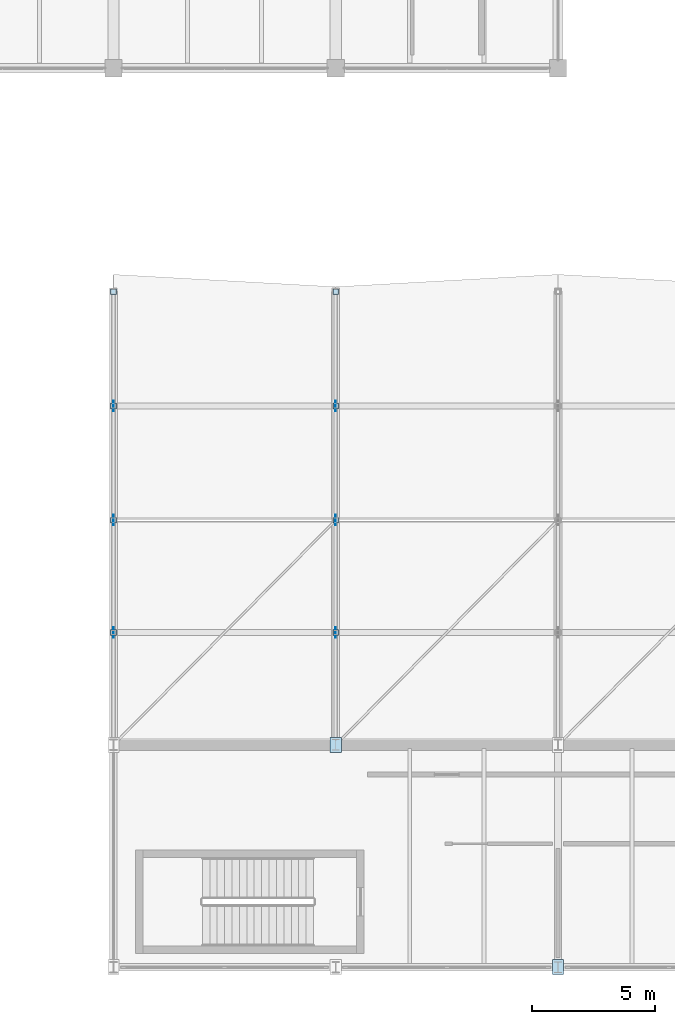
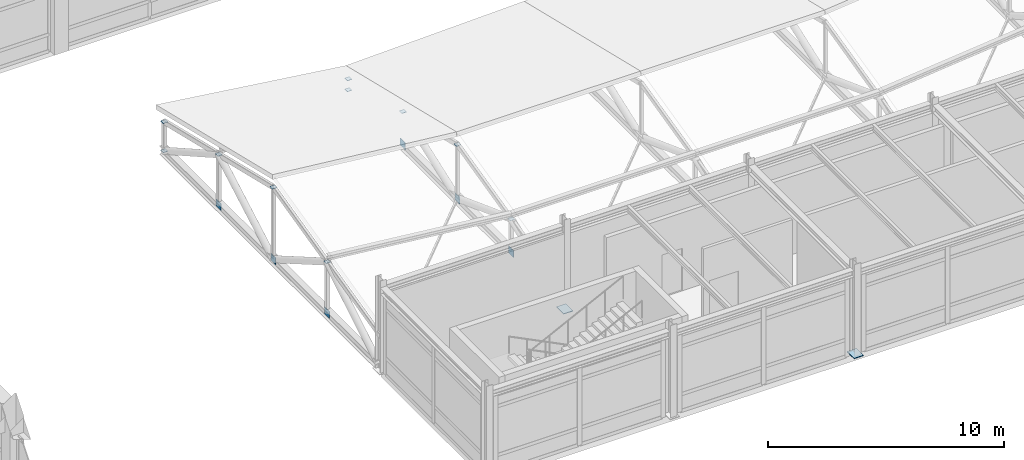
# One storey, part 61 of 90: 18 plates.
"""IFC4 building model written with IfcOpenShell, lengths in metres."""

from ifc_helpers import new_model, si_unit, direction, frame, origin, origin_2d, place, context, subcontext, project, spatial, rectangle, extrude, material, layer, layer_set, type_object, element, save


model = new_model("IFC4")

# Units and contexts
model_context = context("Model", 3, precision=1e-05, world=origin(), true_north=direction((0.0, 1.0)))
body_context = subcontext(model_context, "Body", "Model", "MODEL_VIEW")
ifc_project = project(units=[si_unit("LENGTHUNIT", "METRE"), si_unit("AREAUNIT", "SQUARE_METRE"), si_unit("VOLUMEUNIT", "CUBIC_METRE"), si_unit("PLANEANGLEUNIT", "RADIAN"), si_unit("MASSUNIT", "GRAM", prefix="KILO")], contexts=[model_context])

# Site, building, storey
site_placement = place(None, origin())
site = spatial("IfcSite", under=ifc_project, at=site_placement, CompositionType="ELEMENT")
building_placement = place(site_placement, origin())
building = spatial("IfcBuilding", under=site, at=building_placement, Name="Bozkorgan Art Gallery", CompositionType="ELEMENT")
storey_placement = place(building_placement, frame((0.0, 0.0, 5.39990234375)))
storey = spatial("IfcBuildingStorey", under=building, at=storey_placement, Name="L01", CompositionType="ELEMENT", Elevation=5.39990234375)

# Plates
ifc_material = material(Name="Steel S355J2", Category="steel")
ifc_layer_1 = layer(ifc_material, 0.031982421875, Name="Steel S355J2")
ifc_layer_set_1 = layer_set([ifc_layer_1], Name="Steel S355J2")
plate_type_1 = type_object("IfcPlateType", Name="PLATE-BP-33", PredefinedType="USERDEFINED", material=ifc_layer_set_1)
for number, where, z_axis, x_axis, name in (
    (1, (92.0, 11.0, 0.0), (0.0, 0.0, 1.0), (1.0, 0.0, 0.0), "COL-V3-L01-92-11 base plate"),
    (2, (101.0, 2.0, 0.0), (0.0, 0.0, 1.0), (1.0, 0.0, 0.0), "COL-V3-L01-101-2 base plate"),
):
    element("IfcPlate", number, at=place(storey_placement, frame(where, z_axis=z_axis, x_axis=x_axis)), inside=storey, type_object=plate_type_1, Name=name, ObjectType="END CAP PLATE", PredefinedType="USERDEFINED", context=body_context, shape_type="SweptSolid", body=[
        extrude(rectangle(XDim=0.4599609375, YDim=0.60009765625, at=origin_2d()), origin(), (0.0, 0.0, 1.0), 0.031982421875),
    ])
ifc_layer_2 = layer(ifc_material, 0.01611328125, Name="Steel S355J2")
ifc_layer_set_2 = layer_set([ifc_layer_2], Name="Steel S355J2")
plate_type_2 = type_object("IfcPlateType", Name="PLATE-EC-05", PredefinedType="USERDEFINED", material=ifc_layer_set_2)
for number, where, z_axis, x_axis, name in (
    (3, (83.0, 15.550048828125, 2.8525390625), (0.0, 0.0, 1.0), (1.0, 0.0, 0.0), "Truss V3 post cap 1.1"),
    (4, (83.0, 20.10009765625, 3.94482421875), (0.0, 0.0, 1.0), (1.0, 0.0, 0.0), "Truss V3 post cap 1.2"),
    (5, (83.0, 24.72509765625, 2.83447265625), (0.0, 0.0, 1.0), (1.0, 0.0, 0.0), "Truss V3 post cap 1.3"),
    (6, (83.0, 29.35009765625, 1.72412109375), (0.0, 0.0, 1.0), (1.0, 0.0, 0.0), "Truss V3 post cap 1.4"),
    (7, (83.0, 29.35009765625, 0.217041015625), (0.0, 0.0, 1.0), (1.0, 0.0, 0.0), "Truss V3 post base cap 1.4"),
    (8, (92.0, 15.550048828125, 1.913330078125), (0.0, 0.0, 1.0), (1.0, 0.0, 0.0), "Truss V3 post cap 2.1"),
    (9, (92.0, 20.10009765625, 3.005615234375), (0.0, 0.0, 1.0), (1.0, 0.0, 0.0), "Truss V3 post cap 2.2"),
    (10, (92.0, 24.72509765625, 1.895263671875), (0.0, 0.0, 1.0), (1.0, 0.0, 0.0), "Truss V3 post cap 2.3"),
    (11, (92.0, 29.35009765625, 0.784912109375), (0.0, 0.0, 1.0), (1.0, 0.0, 0.0), "Truss V3 post cap 2.4"),
    (12, (92.0, 29.35009765625, 0.217041015625), (0.0, 0.0, 1.0), (1.0, 0.0, 0.0), "Truss V3 post base cap 2.4"),
):
    element("IfcPlate", number, at=place(storey_placement, frame(where, z_axis=z_axis, x_axis=x_axis)), inside=storey, type_object=plate_type_2, Name=name, ObjectType="END CAP PLATE", PredefinedType="USERDEFINED", context=body_context, shape_type="SweptSolid", body=[
        extrude(rectangle(XDim=0.22998046875, YDim=0.22998046875, at=origin_2d()), origin(), (0.0, 0.0, 1.0), 0.01611328125),
    ])
ifc_layer_3 = layer(ifc_material, 0.02392578125, Name="Steel S355J2")
ifc_layer_set_3 = layer_set([ifc_layer_3], Name="Steel S355J2")
plate_type_3 = type_object("IfcPlateType", Name="PLATE-GP-38", PredefinedType="USERDEFINED", material=ifc_layer_set_3)
for number, where, z_axis, x_axis, name in (
    (13, (83.0, 20.10009765625, 0.044921875), (0.0, 0.0, 1.0), (1.0, 0.0, 0.0), "Truss V3 span 1 node gusset TN-2"),
    (14, (92.0, 20.10009765625, 0.044921875), (0.0, 0.0, 1.0), (1.0, 0.0, 0.0), "Truss V3 span 2 node gusset TN-2"),
):
    element("IfcPlate", number, at=place(storey_placement, frame(where, z_axis=z_axis, x_axis=x_axis)), inside=storey, type_object=plate_type_3, Name=name, ObjectType="GUSSET PLATE", PredefinedType="USERDEFINED", context=body_context, shape_type="SweptSolid", body=[
        extrude(rectangle(XDim=0.02001953125, YDim=0.419921875, at=origin_2d()), origin(), (0.0, 0.0, 1.0), 0.360107421875),
    ])
ifc_layer_4 = layer(ifc_material, 0.02001953125, Name="Steel S355J2")
ifc_layer_set_4 = layer_set([ifc_layer_4], Name="Steel S355J2")
plate_type_4 = type_object("IfcPlateType", Name="PLATE-GP-55", PredefinedType="USERDEFINED", material=ifc_layer_set_4)
for number, where, z_axis, x_axis, name in (
    (15, (83.0, 15.550048828125, 0.044921875), (0.0, 0.0, 1.0), (1.0, 0.0, 0.0), "Truss V3 span 1 node gusset TN-1"),
    (16, (83.0, 24.72509765625, 0.044921875), (0.0, 0.0, 1.0), (1.0, 0.0, 0.0), "Truss V3 span 1 node gusset TN-3"),
    (17, (92.0, 15.550048828125, 0.044921875), (0.0, 0.0, 1.0), (1.0, 0.0, 0.0), "Truss V3 span 2 node gusset TN-1"),
    (18, (92.0, 24.72509765625, 0.044921875), (0.0, 0.0, 1.0), (1.0, 0.0, 0.0), "Truss V3 span 2 node gusset TN-3"),
):
    element("IfcPlate", number, at=place(storey_placement, frame(where, z_axis=z_axis, x_axis=x_axis)), inside=storey, type_object=plate_type_4, Name=name, ObjectType="GUSSET PLATE", PredefinedType="USERDEFINED", context=body_context, shape_type="SweptSolid", body=[
        extrude(rectangle(XDim=0.02001953125, YDim=0.419921875, at=origin_2d()), origin(), (0.0, 0.0, 1.0), 0.360107421875),
    ])

save(model, "model.ifc")
